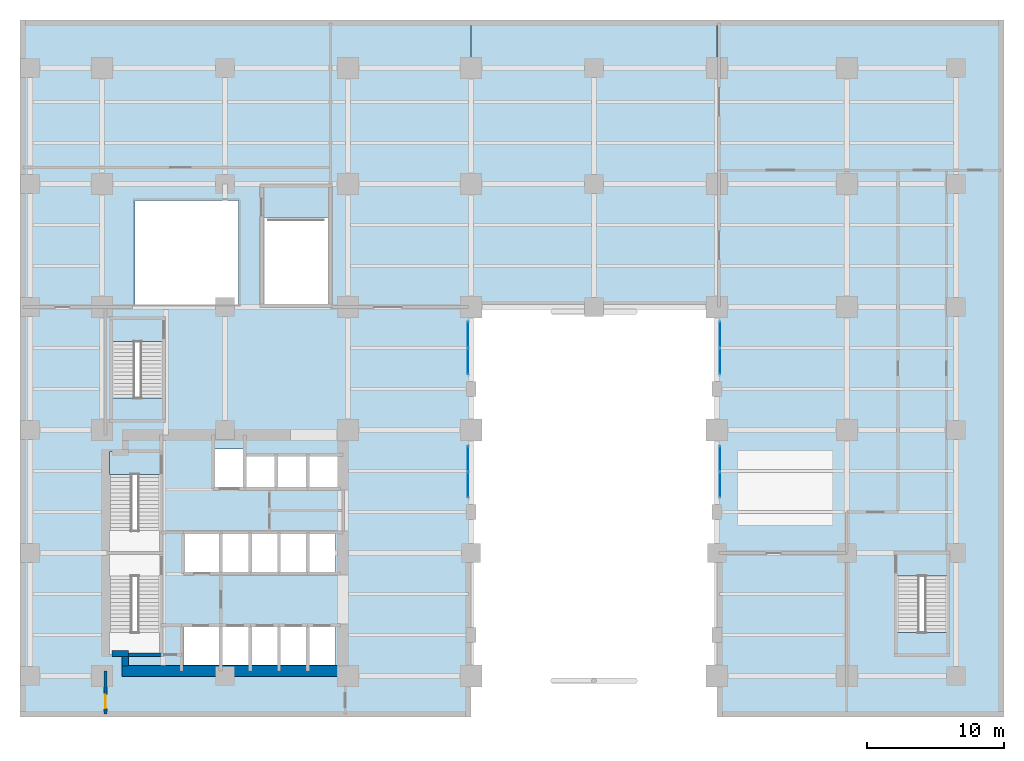
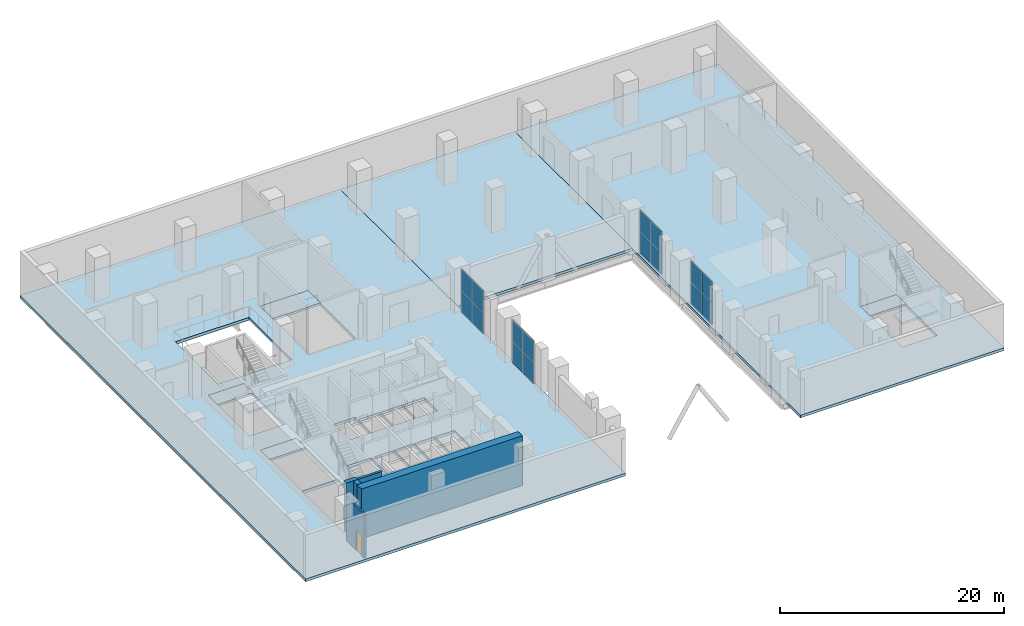
# One storey, part 8 of 13: 16 plates, 9 slabs, 5 walls, 1 door, 1 opening, 7 elements without a shape of their own.
"""IFC4 building model written with IfcOpenShell, lengths in metres."""

from ifc_helpers import new_model, si_unit, direction, frame, frame_2d, origin, origin_2d, place, context, subcontext, project, spatial, polyline, rectangle, outline, extrude, material, layer, layer_set, type_object, element, fill, aggregate, save


model = new_model("IFC4")

# Units and contexts
model_context = context("Model", 3, precision=1e-05, world=origin(), true_north=direction((0.0, 1.0)))
body_context = subcontext(model_context, "Body", "Model", "MODEL_VIEW")
ifc_project = project(units=[si_unit("LENGTHUNIT", "METRE"), si_unit("AREAUNIT", "SQUARE_METRE"), si_unit("VOLUMEUNIT", "CUBIC_METRE"), si_unit("PLANEANGLEUNIT", "RADIAN"), si_unit("MASSUNIT", "GRAM", prefix="KILO")], contexts=[model_context])

# Site, building, storey
site_placement = place(None, origin())
site = spatial("IfcSite", under=ifc_project, at=site_placement, CompositionType="ELEMENT")
building_placement = place(site_placement, origin())
building = spatial("IfcBuilding", under=site, at=building_placement, Name="Mawjdan Bourse Tower", CompositionType="ELEMENT")
storey_placement = place(building_placement, frame((0.0, 0.0, 10.800048828125)))
storey = spatial("IfcBuildingStorey", under=building, at=storey_placement, Name="L02", CompositionType="ELEMENT", Elevation=10.800048828125)

# Curtain wall, plates
ifc_material_1 = material(Name="Thermally Broken Aluminium and Solar Glass", Category="aluminium")
ifc_layer_1 = layer(ifc_material_1, 0.219970703125)
ifc_layer_set_1 = layer_set([ifc_layer_1], Name="Thermally Broken Aluminium and Solar Glass")
curtain_wall_type = type_object("IfcCurtainWallType", Name="CW-ARCH", PredefinedType="USERDEFINED", material=ifc_layer_set_1)
curtain_wall_1_placement = place(storey_placement, origin())
curtain_wall_1 = element("IfcCurtainWall", 1, at=curtain_wall_1_placement, inside=storey, type_object=curtain_wall_type, Name="L02 Giant Arch West Glazed Wall South", ObjectType="ARCHWAY GLAZED CURTAIN WALL", PredefinedType="USERDEFINED")
ifc_material_2 = material(Name="Low-SHGC Clear Laminated Glass", Category="glass")
ifc_layer_2 = layer(ifc_material_2, 0.0419921875)
ifc_layer_set_2 = layer_set([ifc_layer_2], Name="Low-SHGC Clear Laminated Glass")
plate_type = type_object("IfcPlateType", Name="PNL-CW-ARCH", PredefinedType="CURTAIN_PANEL", material=ifc_layer_set_2)
plate_1_placement = place(storey_placement, frame((32.7900390625, 18.90625, 0.059814453125), z_axis=(0.0, 0.0, 1.0), x_axis=(0.0, -1.0, 0.0)))
plate_1 = element("IfcPlate", 2, at=plate_1_placement, type_object=plate_type, Name="CW-ARCH-L02-ARCH-W1 panel 1.1", PredefinedType="CURTAIN_PANEL", context=body_context, shape_type="SweptSolid", body=[
    extrude(rectangle(XDim=1.83740234375, YDim=0.0419921875, at=origin_2d()), origin(), (0.0, 0.0, 1.0), 2.31005859375),
])
plate_2_placement = place(storey_placement, frame((32.7900390625, 18.90625, 2.429931640625), z_axis=(0.0, 0.0, 1.0), x_axis=(0.0, -1.0, 0.0)))
plate_2 = element("IfcPlate", 3, at=plate_2_placement, type_object=plate_type, Name="CW-ARCH-L02-ARCH-W1 panel 1.2", PredefinedType="CURTAIN_PANEL", context=body_context, shape_type="SweptSolid", body=[
    extrude(rectangle(XDim=1.83740234375, YDim=0.0419921875, at=origin_2d()), origin(), (0.0, 0.0, 1.0), 2.31005859375),
])
plate_3_placement = place(storey_placement, frame((32.7900390625, 16.99365234375, 0.059814453125), z_axis=(0.0, 0.0, 1.0), x_axis=(0.0, -1.0, 0.0)))
plate_3 = element("IfcPlate", 4, at=plate_3_placement, type_object=plate_type, Name="CW-ARCH-L02-ARCH-W1 panel 2.1", PredefinedType="CURTAIN_PANEL", context=body_context, shape_type="SweptSolid", body=[
    extrude(rectangle(XDim=1.83740234375, YDim=0.0419921875, at=origin_2d()), origin(), (0.0, 0.0, 1.0), 2.31005859375),
])
plate_4_placement = place(storey_placement, frame((32.7900390625, 16.99365234375, 2.429931640625), z_axis=(0.0, 0.0, 1.0), x_axis=(0.0, -1.0, 0.0)))
plate_4 = element("IfcPlate", 5, at=plate_4_placement, type_object=plate_type, Name="CW-ARCH-L02-ARCH-W1 panel 2.2", PredefinedType="CURTAIN_PANEL", context=body_context, shape_type="SweptSolid", body=[
    extrude(rectangle(XDim=1.83740234375, YDim=0.0419921875, at=origin_2d()), origin(), (0.0, 0.0, 1.0), 2.31005859375),
])
aggregate(curtain_wall_1, [plate_1, plate_2, plate_3, plate_4])

curtain_wall_2_placement = place(storey_placement, origin())
curtain_wall_2 = element("IfcCurtainWall", 6, at=curtain_wall_2_placement, inside=storey, type_object=curtain_wall_type, Name="L02 Giant Arch West Glazed Wall North", ObjectType="ARCHWAY GLAZED CURTAIN WALL", PredefinedType="USERDEFINED")
plate_5_placement = place(storey_placement, frame((32.7900390625, 27.981201171875, 0.059814453125), z_axis=(0.0, 0.0, 1.0), x_axis=(0.0, -1.0, 0.0)))
plate_5 = element("IfcPlate", 7, at=plate_5_placement, type_object=plate_type, Name="CW-ARCH-L02-ARCH-W2 panel 1.1", PredefinedType="CURTAIN_PANEL", context=body_context, shape_type="SweptSolid", body=[
    extrude(rectangle(XDim=1.887451171875, YDim=0.0419921875, at=origin_2d()), origin(), (0.0, 0.0, 1.0), 2.31005859375),
])
plate_6_placement = place(storey_placement, frame((32.7900390625, 27.981201171875, 2.429931640625), z_axis=(0.0, 0.0, 1.0), x_axis=(0.0, -1.0, 0.0)))
plate_6 = element("IfcPlate", 8, at=plate_6_placement, type_object=plate_type, Name="CW-ARCH-L02-ARCH-W2 panel 1.2", PredefinedType="CURTAIN_PANEL", context=body_context, shape_type="SweptSolid", body=[
    extrude(rectangle(XDim=1.887451171875, YDim=0.0419921875, at=origin_2d()), origin(), (0.0, 0.0, 1.0), 2.31005859375),
])
plate_7_placement = place(storey_placement, frame((32.7900390625, 26.018798828125, 0.059814453125), z_axis=(0.0, 0.0, 1.0), x_axis=(0.0, -1.0, 0.0)))
plate_7 = element("IfcPlate", 9, at=plate_7_placement, type_object=plate_type, Name="CW-ARCH-L02-ARCH-W2 panel 2.1", PredefinedType="CURTAIN_PANEL", context=body_context, shape_type="SweptSolid", body=[
    extrude(rectangle(XDim=1.887451171875, YDim=0.0419921875, at=origin_2d()), origin(), (0.0, 0.0, 1.0), 2.31005859375),
])
plate_8_placement = place(storey_placement, frame((32.7900390625, 26.018798828125, 2.429931640625), z_axis=(0.0, 0.0, 1.0), x_axis=(0.0, -1.0, 0.0)))
plate_8 = element("IfcPlate", 10, at=plate_8_placement, type_object=plate_type, Name="CW-ARCH-L02-ARCH-W2 panel 2.2", PredefinedType="CURTAIN_PANEL", context=body_context, shape_type="SweptSolid", body=[
    extrude(rectangle(XDim=1.887451171875, YDim=0.0419921875, at=origin_2d()), origin(), (0.0, 0.0, 1.0), 2.31005859375),
])
aggregate(curtain_wall_2, [plate_5, plate_6, plate_7, plate_8])

curtain_wall_3_placement = place(storey_placement, origin())
curtain_wall_3 = element("IfcCurtainWall", 11, at=curtain_wall_3_placement, inside=storey, type_object=curtain_wall_type, Name="L02 Giant Arch East Glazed Wall South", ObjectType="ARCHWAY GLAZED CURTAIN WALL", PredefinedType="USERDEFINED")
plate_9_placement = place(storey_placement, frame((51.2099609375, 16.99365234375, 0.059814453125), z_axis=(0.0, 0.0, 1.0), x_axis=(0.0, 1.0, 0.0)))
plate_9 = element("IfcPlate", 12, at=plate_9_placement, type_object=plate_type, Name="CW-ARCH-L02-ARCH-E1 panel 1.1", PredefinedType="CURTAIN_PANEL", context=body_context, shape_type="SweptSolid", body=[
    extrude(rectangle(XDim=1.83740234375, YDim=0.0419921875, at=origin_2d()), origin(), (0.0, 0.0, 1.0), 2.31005859375),
])
plate_10_placement = place(storey_placement, frame((51.2099609375, 16.99365234375, 2.429931640625), z_axis=(0.0, 0.0, 1.0), x_axis=(0.0, 1.0, 0.0)))
plate_10 = element("IfcPlate", 13, at=plate_10_placement, type_object=plate_type, Name="CW-ARCH-L02-ARCH-E1 panel 1.2", PredefinedType="CURTAIN_PANEL", context=body_context, shape_type="SweptSolid", body=[
    extrude(rectangle(XDim=1.83740234375, YDim=0.0419921875, at=origin_2d()), origin(), (0.0, 0.0, 1.0), 2.31005859375),
])
plate_11_placement = place(storey_placement, frame((51.2099609375, 18.90625, 0.059814453125), z_axis=(0.0, 0.0, 1.0), x_axis=(0.0, 1.0, 0.0)))
plate_11 = element("IfcPlate", 14, at=plate_11_placement, type_object=plate_type, Name="CW-ARCH-L02-ARCH-E1 panel 2.1", PredefinedType="CURTAIN_PANEL", context=body_context, shape_type="SweptSolid", body=[
    extrude(rectangle(XDim=1.83740234375, YDim=0.0419921875, at=origin_2d()), origin(), (0.0, 0.0, 1.0), 2.31005859375),
])
plate_12_placement = place(storey_placement, frame((51.2099609375, 18.90625, 2.429931640625), z_axis=(0.0, 0.0, 1.0), x_axis=(0.0, 1.0, 0.0)))
plate_12 = element("IfcPlate", 15, at=plate_12_placement, type_object=plate_type, Name="CW-ARCH-L02-ARCH-E1 panel 2.2", PredefinedType="CURTAIN_PANEL", context=body_context, shape_type="SweptSolid", body=[
    extrude(rectangle(XDim=1.83740234375, YDim=0.0419921875, at=origin_2d()), origin(), (0.0, 0.0, 1.0), 2.31005859375),
])
aggregate(curtain_wall_3, [plate_9, plate_10, plate_11, plate_12])

curtain_wall_4_placement = place(storey_placement, origin())
curtain_wall_4 = element("IfcCurtainWall", 16, at=curtain_wall_4_placement, inside=storey, type_object=curtain_wall_type, Name="L02 Giant Arch East Glazed Wall North", ObjectType="ARCHWAY GLAZED CURTAIN WALL", PredefinedType="USERDEFINED")
plate_13_placement = place(storey_placement, frame((51.2099609375, 26.018798828125, 0.059814453125), z_axis=(0.0, 0.0, 1.0), x_axis=(0.0, 1.0, 0.0)))
plate_13 = element("IfcPlate", 17, at=plate_13_placement, type_object=plate_type, Name="CW-ARCH-L02-ARCH-E2 panel 1.1", PredefinedType="CURTAIN_PANEL", context=body_context, shape_type="SweptSolid", body=[
    extrude(rectangle(XDim=1.887451171875, YDim=0.0419921875, at=origin_2d()), origin(), (0.0, 0.0, 1.0), 2.31005859375),
])
plate_14_placement = place(storey_placement, frame((51.2099609375, 26.018798828125, 2.429931640625), z_axis=(0.0, 0.0, 1.0), x_axis=(0.0, 1.0, 0.0)))
plate_14 = element("IfcPlate", 18, at=plate_14_placement, type_object=plate_type, Name="CW-ARCH-L02-ARCH-E2 panel 1.2", PredefinedType="CURTAIN_PANEL", context=body_context, shape_type="SweptSolid", body=[
    extrude(rectangle(XDim=1.887451171875, YDim=0.0419921875, at=origin_2d()), origin(), (0.0, 0.0, 1.0), 2.31005859375),
])
plate_15_placement = place(storey_placement, frame((51.2099609375, 27.981201171875, 0.059814453125), z_axis=(0.0, 0.0, 1.0), x_axis=(0.0, 1.0, 0.0)))
plate_15 = element("IfcPlate", 19, at=plate_15_placement, type_object=plate_type, Name="CW-ARCH-L02-ARCH-E2 panel 2.1", PredefinedType="CURTAIN_PANEL", context=body_context, shape_type="SweptSolid", body=[
    extrude(rectangle(XDim=1.887451171875, YDim=0.0419921875, at=origin_2d()), origin(), (0.0, 0.0, 1.0), 2.31005859375),
])
plate_16_placement = place(storey_placement, frame((51.2099609375, 27.981201171875, 2.429931640625), z_axis=(0.0, 0.0, 1.0), x_axis=(0.0, 1.0, 0.0)))
plate_16 = element("IfcPlate", 20, at=plate_16_placement, type_object=plate_type, Name="CW-ARCH-L02-ARCH-E2 panel 2.2", PredefinedType="CURTAIN_PANEL", context=body_context, shape_type="SweptSolid", body=[
    extrude(rectangle(XDim=1.887451171875, YDim=0.0419921875, at=origin_2d()), origin(), (0.0, 0.0, 1.0), 2.31005859375),
])
aggregate(curtain_wall_4, [plate_13, plate_14, plate_15, plate_16])

# Stair, slab
ifc_material_3 = material(Name="Concrete C50/60", Category="concrete")
stair_type = type_object("IfcStairType", Name="STR-CORE-1500", PredefinedType="HALF_TURN_STAIR", material=ifc_material_3)
stair_1_placement = place(storey_placement, origin())
stair_1 = element("IfcStair", 21, at=stair_1_placement, inside=storey, type_object=stair_type, Name="L02 Exit Stair 2 (Core North-West)", PredefinedType="HALF_TURN_STAIR")
ifc_layer_3 = layer(ifc_material_3, 0.22998046875)
ifc_layer_set_3 = layer_set([ifc_layer_3], Name="Concrete C50/60")
slab_type_1 = type_object("IfcSlabType", Name="SL-LND-230", PredefinedType="LANDING", material=ifc_layer_set_3)
slab_1_placement = place(storey_placement, frame((0.0, 0.0, -0.22998046875)))
slab_1 = element("IfcSlab", 22, at=slab_1_placement, type_object=slab_type_1, Name="ST2-L02 landing 1", PredefinedType="LANDING", context=body_context, shape_type="SweptSolid", body=[
    extrude(outline(polyline([(6.5400390625, 17.75), (10.260009765625, 17.75), (10.260009765625, 19.409912109375), (6.5400390625, 19.409912109375), (6.5400390625, 17.75)])), origin(), (0.0, 0.0, 1.0), 0.22998046875),
])
aggregate(stair_1, [slab_1])

# Stair, slabs
stair_2_placement = place(storey_placement, origin())
stair_2 = element("IfcStair", 23, at=stair_2_placement, inside=storey, type_object=stair_type, Name="L02 Exit Stair 3 (North Wing)", PredefinedType="HALF_TURN_STAIR")
slab_2_placement = place(storey_placement, frame((0.0, 0.0, -0.22998046875)))
slab_2 = element("IfcSlab", 24, at=slab_2_placement, type_object=slab_type_1, Name="ST3-L02 landing 1", PredefinedType="LANDING", context=body_context, shape_type="SweptSolid", body=[
    extrude(outline(polyline([(6.739990234375, 27.4599609375), (10.4599609375, 27.4599609375), (10.4599609375, 29.1201171875), (6.739990234375, 29.1201171875), (6.739990234375, 27.4599609375)])), origin(), (0.0, 0.0, 1.0), 0.22998046875),
])
slab_3_placement = place(storey_placement, frame((0.0, 0.0, 2.469970703125)))
slab_3 = element("IfcSlab", 25, at=slab_3_placement, type_object=slab_type_1, Name="ST3-L02 landing 2", PredefinedType="LANDING", context=body_context, shape_type="SweptSolid", body=[
    extrude(outline(polyline([(6.739990234375, 21.739990234375), (10.4599609375, 21.739990234375), (10.4599609375, 23.340087890625), (6.739990234375, 23.340087890625), (6.739990234375, 21.739990234375)])), origin(), (0.0, 0.0, 1.0), 0.22998046875),
])
aggregate(stair_2, [slab_2, slab_3])

# Slab
slab_4_placement = place(storey_placement, frame((0.0, 0.0, -0.22998046875)))
element("IfcSlab", 26, at=slab_4_placement, inside=storey, type_object=slab_type_1, Name="L02 ST4 Top Arrival Landing", PredefinedType="LANDING", context=body_context, shape_type="SweptSolid", body=[
    extrude(outline(polyline([(17.739990234375, 36.550048828125), (22.659912109375, 36.550048828125), (22.659912109375, 38.81005859375), (17.739990234375, 38.81005859375), (17.739990234375, 36.550048828125)])), origin(), (0.0, 0.0, 1.0), 0.22998046875),
])

# Stair, slabs
stair_3_placement = place(storey_placement, origin())
stair_3 = element("IfcStair", 27, at=stair_3_placement, inside=storey, type_object=stair_type, Name="L02 Exit Stair 6 (East Podium Pier)", PredefinedType="HALF_TURN_STAIR")
slab_5_placement = place(storey_placement, frame((0.0, 0.0, -0.22998046875)))
slab_5 = element("IfcSlab", 28, at=slab_5_placement, type_object=slab_type_1, Name="ST6-L02 landing 1", PredefinedType="LANDING", context=body_context, shape_type="SweptSolid", body=[
    extrude(outline(polyline([(64.139892578125, 10.31005859375), (67.860107421875, 10.31005859375), (67.860107421875, 11.969970703125), (64.139892578125, 11.969970703125), (64.139892578125, 10.31005859375)])), origin(), (0.0, 0.0, 1.0), 0.22998046875),
])
slab_6_placement = place(storey_placement, frame((0.0, 0.0, 2.469970703125)))
slab_6 = element("IfcSlab", 29, at=slab_6_placement, type_object=slab_type_1, Name="ST6-L02 landing 2", PredefinedType="LANDING", context=body_context, shape_type="SweptSolid", body=[
    extrude(outline(polyline([(64.139892578125, 4.590087890625), (67.860107421875, 4.590087890625), (67.860107421875, 6.18994140625), (64.139892578125, 6.18994140625), (64.139892578125, 4.590087890625)])), origin(), (0.0, 0.0, 1.0), 0.22998046875),
])
aggregate(stair_3, [slab_5, slab_6])

# Slabs
ifc_layer_4 = layer(ifc_material_3, 0.300048828125)
ifc_layer_set_4 = layer_set([ifc_layer_4], Name="Concrete C50/60")
slab_type_2 = type_object("IfcSlabType", Name="SL-POD-300", PredefinedType="FLOOR", material=ifc_layer_set_4)
slab_7_placement = place(storey_placement, frame((0.0, 0.0, -0.300048828125)))
element("IfcSlab", 30, at=slab_7_placement, inside=storey, type_object=slab_type_2, Name="L02 Structural Floor Slab 1", PredefinedType="FLOOR", context=body_context, shape_type="SweptSolid", body=[
    extrude(outline(polyline([(0.0, 0.0), (33.0, 0.0), (33.0, 51.0), (0.0, 51.0), (0.0, 0.0)]), holes=[polyline([(11.949951171875, 3.800048828125), (11.949951171875, 6.60009765625), (14.550048828125, 6.60009765625), (14.550048828125, 3.800048828125), (11.949951171875, 3.800048828125)]), polyline([(14.800048828125, 3.800048828125), (14.800048828125, 6.60009765625), (16.800048828125, 6.60009765625), (16.800048828125, 3.800048828125), (14.800048828125, 3.800048828125)]), polyline([(10.260009765625, 11.969970703125), (10.260009765625, 10.31005859375), (10.199951171875, 10.31005859375), (10.199951171875, 4.64990234375), (6.60009765625, 4.64990234375), (6.60009765625, 10.31005859375), (6.5400390625, 10.31005859375), (6.5400390625, 11.969970703125), (10.260009765625, 11.969970703125)]), polyline([(12.050048828125, 13.39990234375), (14.550048828125, 13.39990234375), (14.550048828125, 10.60009765625), (12.050048828125, 10.60009765625), (12.050048828125, 13.39990234375)]), polyline([(14.800048828125, 10.60009765625), (14.800048828125, 13.39990234375), (16.800048828125, 13.39990234375), (16.800048828125, 10.60009765625), (14.800048828125, 10.60009765625)]), polyline([(6.60009765625, 17.75), (6.5400390625, 17.75), (6.5400390625, 19.409912109375), (10.260009765625, 19.409912109375), (10.260009765625, 17.75), (10.199951171875, 17.75), (10.199951171875, 12.090087890625), (6.60009765625, 12.090087890625), (6.60009765625, 17.75)]), polyline([(14.199951171875, 19.60009765625), (16.39990234375, 19.60009765625), (16.39990234375, 16.800048828125), (14.199951171875, 16.800048828125), (14.199951171875, 19.60009765625)]), polyline([(10.4599609375, 27.4599609375), (10.39990234375, 27.4599609375), (10.39990234375, 21.800048828125), (6.800048828125, 21.800048828125), (6.800048828125, 27.4599609375), (6.739990234375, 27.4599609375), (6.739990234375, 29.1201171875), (10.4599609375, 29.1201171875), (10.4599609375, 27.4599609375)]), polyline([(8.39990234375, 30.199951171875), (8.39990234375, 37.800048828125), (16.0, 37.800048828125), (16.0, 30.199951171875), (8.39990234375, 30.199951171875)]), polyline([(16.89990234375, 6.60009765625), (18.89990234375, 6.60009765625), (18.89990234375, 3.800048828125), (16.89990234375, 3.800048828125), (16.89990234375, 6.60009765625)]), polyline([(19.0, 6.60009765625), (21.0, 6.60009765625), (21.0, 3.800048828125), (19.0, 3.800048828125), (19.0, 6.60009765625)]), polyline([(21.10009765625, 3.800048828125), (21.10009765625, 6.60009765625), (23.10009765625, 6.60009765625), (23.10009765625, 3.800048828125), (21.10009765625, 3.800048828125)]), polyline([(16.89990234375, 13.39990234375), (18.89990234375, 13.39990234375), (18.89990234375, 10.60009765625), (16.89990234375, 10.60009765625), (16.89990234375, 13.39990234375)]), polyline([(19.0, 13.39990234375), (21.0, 13.39990234375), (21.0, 10.60009765625), (19.0, 10.60009765625), (19.0, 13.39990234375)]), polyline([(21.10009765625, 10.60009765625), (21.10009765625, 13.39990234375), (23.10009765625, 13.39990234375), (23.10009765625, 10.60009765625), (21.10009765625, 10.60009765625)]), polyline([(16.5, 19.14990234375), (18.699951171875, 19.14990234375), (18.699951171875, 16.800048828125), (16.5, 16.800048828125), (16.5, 19.14990234375)]), polyline([(18.800048828125, 19.14990234375), (21.0, 19.14990234375), (21.0, 16.800048828125), (18.800048828125, 16.800048828125), (18.800048828125, 19.14990234375)]), polyline([(21.10009765625, 16.800048828125), (21.10009765625, 19.14990234375), (23.300048828125, 19.14990234375), (23.300048828125, 16.800048828125), (21.10009765625, 16.800048828125)]), polyline([(22.659912109375, 36.550048828125), (22.60009765625, 36.550048828125), (22.60009765625, 30.199951171875), (17.800048828125, 30.199951171875), (17.800048828125, 36.550048828125), (17.739990234375, 36.550048828125), (17.739990234375, 38.81005859375), (22.659912109375, 38.81005859375), (22.659912109375, 36.550048828125)])]), origin(), (0.0, 0.0, 1.0), 0.300048828125),
])
slab_8_placement = place(storey_placement, frame((0.0, 0.0, -0.300048828125)))
element("IfcSlab", 31, at=slab_8_placement, inside=storey, type_object=slab_type_2, Name="L02 Structural Floor Slab 2", PredefinedType="FLOOR", context=body_context, shape_type="SweptSolid", body=[
    extrude(outline(polyline([(51.0, 0.0), (72.0, 0.0), (72.0, 51.0), (51.0, 51.0), (51.0, 0.0)]), holes=[polyline([(64.199951171875, 10.31005859375), (64.139892578125, 10.31005859375), (64.139892578125, 11.969970703125), (67.860107421875, 11.969970703125), (67.860107421875, 10.31005859375), (67.800048828125, 10.31005859375), (67.800048828125, 4.64990234375), (64.199951171875, 4.64990234375), (64.199951171875, 10.31005859375)])]), origin(), (0.0, 0.0, 1.0), 0.300048828125),
])
slab_9_placement = place(storey_placement, frame((0.0, 0.0, -0.300048828125)))
element("IfcSlab", 32, at=slab_9_placement, inside=storey, type_object=slab_type_2, Name="L02 Structural Floor Slab 3", PredefinedType="FLOOR", context=body_context, shape_type="SweptSolid", body=[
    extrude(outline(polyline([(33.0, 30.0), (51.0, 30.0), (51.0, 51.0), (33.0, 51.0), (33.0, 30.0)])), origin(), (0.0, 0.0, 1.0), 0.300048828125),
])

# Wall, opening, door
ifc_material_4 = material(Name="Gypsum Fireboard Assembly")
ifc_layer_5 = layer(ifc_material_4, 0.199951171875)
ifc_layer_set_5 = layer_set([ifc_layer_5], Name="Gypsum Fireboard Assembly")
wall_type_1 = type_object("IfcWallType", Name="WL-CMP-200", PredefinedType="PARTITIONING", material=ifc_layer_set_5)
wall_1_placement = place(storey_placement, frame((6.25, 0.2099609375, 0.0), z_axis=(0.0, 0.0, 1.0), x_axis=(0.0, 1.0, 0.0)))
wall_1 = element("IfcWall", 33, at=wall_1_placement, inside=storey, type_object=wall_type_1, Name="L02 Regulatory Supervision South-East Wall", PredefinedType="PARTITIONING", context=body_context, shape_type="SweptSolid", body=[
    extrude(rectangle(XDim=3.14013671875, YDim=0.199951171875, at=frame_2d((1.570068359375, 0.0))), origin(), (0.0, 0.0, 1.0), 4.7900390625),
])
opening_placement = place(wall_1_placement, frame((0.419921875, 0.0, 0.0)))
opening = element("IfcOpeningElement", 34, at=opening_placement, cuts=wall_1, Name="Opening D-L02-21", PredefinedType="OPENING", context=body_context, shape_type="SweptSolid", body=[
    extrude(rectangle(XDim=1.0, YDim=2.14990234375, at=frame_2d((0.5, 1.074951171875))), frame((0.0, 0.10986328125, 0.0), z_axis=(0.0, -1.0, 0.0), x_axis=(1.0, 0.0, 0.0)), (0.0, 0.0, 1.0), 0.219970703125),
])
ifc_material_5 = material(Name="Hardwood Acoustic Leaf", Category="wood")
door_type = type_object("IfcDoorType", Name="DR-OFC-1000", OperationType="NOTDEFINED", PredefinedType="DOOR", material=ifc_material_5)
door_placement = place(opening_placement, origin())
door = element("IfcDoor", 35, at=door_placement, inside=storey, type_object=door_type, Name="L02 Regulatory Supervision Door D-L02-21", OperationType="SINGLE_SWING_RIGHT", OverallHeight=2.14990234375, OverallWidth=1.0, PredefinedType="DOOR", context=body_context, shape_type="SweptSolid", body=[
    extrude(rectangle(XDim=1.0, YDim=2.14990234375, at=frame_2d((0.5, 1.074951171875))), frame((0.0, 0.02490234375, 0.0), z_axis=(0.0, -1.0, 0.0), x_axis=(1.0, 0.0, 0.0)), (0.0, 0.0, 1.0), 0.050048828125),
])
fill(opening, door)

# Walls
ifc_material_6 = material(Name="Concrete C60/75", Category="concrete")
ifc_layer_6 = layer(ifc_material_6, 0.449951171875)
ifc_layer_set_6 = layer_set([ifc_layer_6], Name="Concrete C60/75")
wall_type_2 = type_object("IfcWallType", Name="WL-CORE-450", PredefinedType="SHEAR", material=ifc_layer_set_6)
wall_2_placement = place(storey_placement, frame((6.75, 4.64990234375, 0.0), z_axis=(0.0, 0.0, 1.0), x_axis=(1.0, 0.0, 0.0)))
element("IfcWall", 36, at=wall_2_placement, inside=storey, type_object=wall_type_2, Name="L02 Rear Core Shear Wall SW-X", PredefinedType="SHEAR", context=body_context, shape_type="SweptSolid", body=[
    extrude(rectangle(XDim=1.175048828125, YDim=0.449951171875, at=frame_2d((0.58740234375, 0.0))), origin(), (0.0, 0.0, 1.0), 5.39990234375),
])
wall_3_placement = place(storey_placement, frame((7.699951171875, 3.75, 0.0), z_axis=(0.0, 0.0, 1.0), x_axis=(0.0, 1.0, 0.0)))
element("IfcWall", 37, at=wall_3_placement, inside=storey, type_object=wall_type_2, Name="L02 Rear Core Shear Wall SW-Y", PredefinedType="SHEAR", context=body_context, shape_type="SweptSolid", body=[
    extrude(rectangle(XDim=0.675048828125, YDim=0.449951171875, at=frame_2d((0.33740234375, 0.0))), origin(), (0.0, 0.0, 1.0), 5.39990234375),
])
ifc_material_7 = material(Name="Concrete C80/95", Category="concrete")
ifc_layer_7 = layer(ifc_material_7, 0.800048828125)
ifc_layer_set_7 = layer_set([ifc_layer_7], Name="Concrete C80/95")
wall_type_3 = type_object("IfcWallType", Name="WL-CORE-800", PredefinedType="SHEAR", material=ifc_layer_set_7)
wall_4_placement = place(storey_placement, frame((7.47509765625, 3.35009765625, 0.0), z_axis=(0.0, 0.0, 1.0), x_axis=(1.0, 0.0, 0.0)))
element("IfcWall", 38, at=wall_4_placement, inside=storey, type_object=wall_type_3, Name="L02 Rear Core Shear Wall S", PredefinedType="SHEAR", context=body_context, shape_type="SweptSolid", body=[
    extrude(rectangle(XDim=16.574951171875, YDim=0.800048828125, at=frame_2d((8.28759765625, 0.0))), origin(), (0.0, 0.0, 1.0), 5.39990234375),
])
ifc_layer_8 = layer(ifc_material_3, 0.25)
ifc_layer_set_8 = layer_set([ifc_layer_8], Name="Concrete C50/60")
wall_type_4 = type_object("IfcWallType", Name="WL-STRW-250", PredefinedType="SHEAR", material=ifc_layer_set_8)
wall_5_placement = place(storey_placement, frame((7.699951171875, 4.550048828125, 0.0), z_axis=(0.0, 0.0, 1.0), x_axis=(1.0, 0.0, 0.0)))
element("IfcWall", 39, at=wall_5_placement, inside=storey, type_object=wall_type_4, Name="L02 Stairwell ST1 South Shaft Wall", PredefinedType="SHEAR", context=body_context, shape_type="SweptSolid", body=[
    extrude(rectangle(XDim=2.755126953125, YDim=0.25, at=frame_2d((1.37744140625, 0.0))), origin(), (0.0, 0.0, 1.0), 5.39990234375),
])

save(model, "model.ifc")
